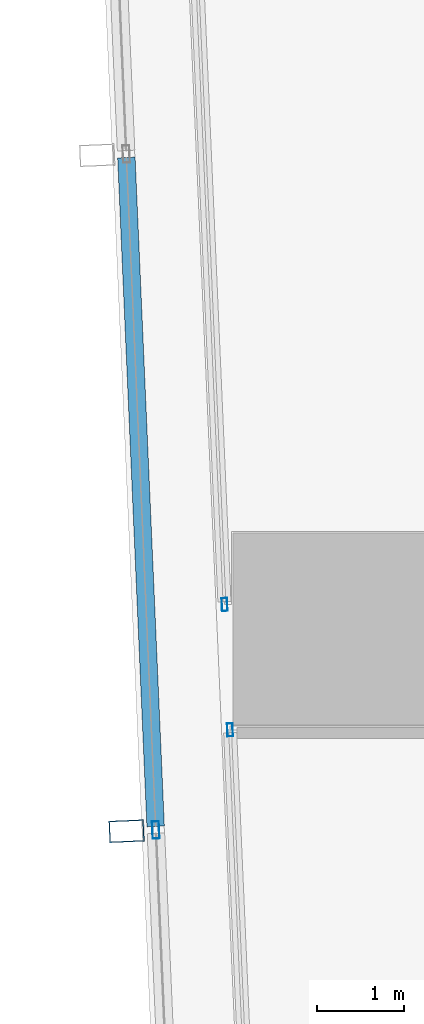
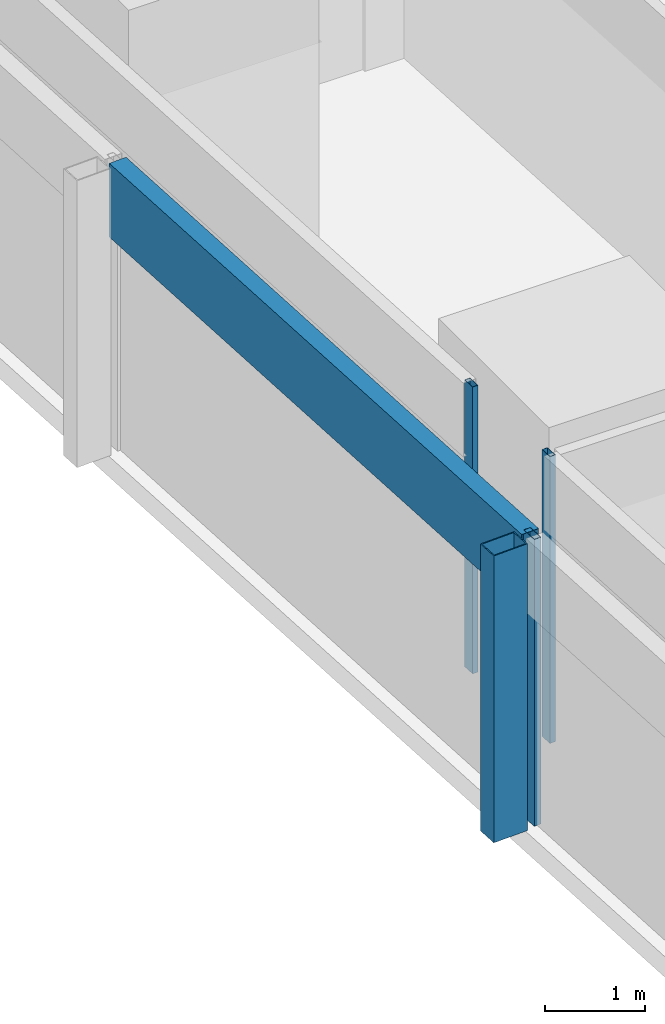
# One storey, part 4 of 44: 5 members, 3 elements without a shape of their own.
"""IFC4 building model written with IfcOpenShell, lengths in metres."""

import ifcopenshell
import ifcopenshell.guid

model = None  # the IFC model being written
_history = None  # IfcOwnerHistory: only IFC2X3 demands one
_inside = {}  # id of a spatial element -> (the spatial element, [elements in it])
_under = {}  # id of a project, library or spatial element -> (it, [spatial elements below it])
_declared = {}  # id of a project -> (the project, [libraries it declares])
_typed = {}  # id of a type object -> (the type object, [elements of that type])
_made_of = {}  # id of a material, layer set ... -> (it, [elements and type objects made of it])


def new_model(schema):
    """Start an empty IFC model of exactly this schema.

    Asked for "IFC4X3", IfcOpenShell would pick the latest addendum, in which some entities
    have other attributes; the version numbers below select the first issue.
    IFC2X3 requires an IfcOwnerHistory on every rooted entity: one is made here for all.
    """
    global model, _history
    if schema == "IFC4X3":
        model = ifcopenshell.file(schema_version=(4, 3, 0, 0))
    else:
        model = ifcopenshell.file(schema=schema)
    _inside.clear()
    _under.clear()
    _declared.clear()
    _typed.clear()
    _made_of.clear()
    _history = None
    if model.schema == "IFC2X3":
        org = make("IfcOrganization", Name="unknown")
        user = make(
            "IfcPersonAndOrganization",
            ThePerson=make("IfcPerson", FamilyName="unknown"),
            TheOrganization=org,
        )
        app = make(
            "IfcApplication",
            ApplicationDeveloper=org,
            Version="unknown",
            ApplicationFullName="unknown",
            ApplicationIdentifier="unknown",
        )
        _history = make(
            "IfcOwnerHistory",
            OwningUser=user,
            OwningApplication=app,
            ChangeAction="ADDED",
            CreationDate=0,
        )
    return model


def make(cls, **values):
    """One entity of the class cls with the attributes given. An attribute that is None is left unset."""
    return model.create_entity(
        cls, **{name: value for name, value in values.items() if value is not None}
    )


def rooted(cls, **values):
    """An entity with a GlobalId (a new one), such as an element, a storey or a relation."""
    return make(cls, GlobalId=ifcopenshell.guid.new(), OwnerHistory=_history, **values)


def si_unit(unit_type, name, prefix=None):
    """IfcSIUnit, for example si_unit("LENGTHUNIT", "METRE", prefix="MILLI")."""
    return make("IfcSIUnit", UnitType=unit_type, Prefix=prefix, Name=name)


def assignment(units):
    """IfcUnitAssignment: the units of a project."""
    return None if units is None else make("IfcUnitAssignment", Units=units)


def point(xyz):
    """IfcCartesianPoint."""
    return None if xyz is None else make("IfcCartesianPoint", Coordinates=xyz)


def direction(xyz):
    """IfcDirection."""
    return None if xyz is None else make("IfcDirection", DirectionRatios=xyz)


def frame(location, z_axis=None, x_axis=None):
    """IfcAxis2Placement3D, a coordinate frame: its origin and axes. An axis left out is left unset."""
    return make(
        "IfcAxis2Placement3D",
        Location=point(location),
        Axis=direction(z_axis),
        RefDirection=direction(x_axis),
    )


def frame_2d(location, x_axis=None):
    """IfcAxis2Placement2D, a coordinate frame in the plane: its origin and x axis."""
    return make(
        "IfcAxis2Placement2D", Location=point(location), RefDirection=direction(x_axis)
    )


def origin():
    """The frame at (0, 0, 0) with its axes left unset."""
    return frame((0.0, 0.0, 0.0))


def origin_2d():
    """The frame at (0, 0) in the plane with its x axis left unset."""
    return frame_2d((0.0, 0.0))


def place(relative_to, where):
    """IfcLocalPlacement: puts the frame where relative to a parent placement (None: the world)."""
    return make(
        "IfcLocalPlacement", PlacementRelTo=relative_to, RelativePlacement=where
    )


def context(
    kind, dimensions, precision=None, world=None, true_north=None, identifier=None
):
    """IfcGeometricRepresentationContext, for example the 3D "Model" context."""
    return make(
        "IfcGeometricRepresentationContext",
        ContextIdentifier=identifier,
        ContextType=kind,
        CoordinateSpaceDimension=dimensions,
        Precision=precision,
        WorldCoordinateSystem=world,
        TrueNorth=true_north,
    )


def subcontext(parent, identifier, kind, view, scale=None):
    """IfcGeometricRepresentationSubContext, for example "Body" below "Model"."""
    return make(
        "IfcGeometricRepresentationSubContext",
        ContextIdentifier=identifier,
        ContextType=kind,
        ParentContext=parent,
        TargetScale=scale,
        TargetView=view,
    )


def project(units=None, contexts=None):
    """IfcProject with its units and contexts."""
    return rooted(
        "IfcProject",
        Name="project",
        RepresentationContexts=contexts,
        UnitsInContext=assignment(units),
    )


def spatial(cls, under=None, at=None, **own):
    """A site, building, storey or space (cls), placed at a placement, below another one or the project."""
    s = rooted(cls, ObjectPlacement=at, **own)
    if under is not None:
        _under.setdefault(under.id(), (under, []))[1].append(s)
    return s


def profile(cls, at=None, kind="AREA", **sizes):
    """A parametric profile (cls). Its sizes go by their IFC names, for example OverallWidth=200.0."""
    return make(cls, ProfileType=kind, Position=at, **sizes)


def hollow_rectangle(**sizes):
    """IfcRectangleHollowProfileDef."""
    return profile("IfcRectangleHollowProfileDef", **sizes)


def extrude(swept, where, along, depth):
    """IfcExtrudedAreaSolid: the profile swept, set in the frame where, extruded along a direction by depth."""
    return make(
        "IfcExtrudedAreaSolid",
        SweptArea=swept,
        Position=where,
        ExtrudedDirection=direction(along),
        Depth=depth,
    )


def shape(context_of_items, identifier, shape_type, items):
    """IfcShapeRepresentation: the items that make up one representation, for example the "Body"."""
    return make(
        "IfcShapeRepresentation",
        ContextOfItems=context_of_items,
        RepresentationIdentifier=identifier,
        RepresentationType=shape_type,
        Items=items,
    )


def material(Name=None, Category=None):
    """IfcMaterial."""
    return make("IfcMaterial", Name=Name, Category=Category)


def material_profile(
    of_material, cross_section, Name=None, Category=None, Priority=None
):
    """IfcMaterialProfile: a cross section and its material."""
    return make(
        "IfcMaterialProfile",
        Name=Name,
        Material=of_material,
        Profile=cross_section,
        Priority=Priority,
        Category=Category,
    )


def profile_set(profiles, Name=None, composite=None):
    """IfcMaterialProfileSet."""
    return make(
        "IfcMaterialProfileSet",
        Name=Name,
        MaterialProfiles=profiles,
        CompositeProfile=composite,
    )


def made_of(thing, what):
    """Note that an element or type object is made of a material, layer set ...; save() writes the relation."""
    if what is not None:
        _made_of.setdefault(what.id(), (what, []))[1].append(thing)
    return thing


def type_object(cls, material=None, **own):
    """A type object (cls), such as IfcWallType, which elements share."""
    return made_of(rooted(cls, **own), material)


def element(
    cls,
    number,
    at=None,
    inside=None,
    cuts=None,
    type_object=None,
    material=None,
    context=None,
    identifier="Body",
    shape_type=None,
    held_by="IfcProductDefinitionShape",
    body=None,
    shapes=None,
    **own,
):
    """One element of the class cls, such as IfcWall. Its Tag is "e" and its number.

    at: its placement. inside: the storey or other place that contains it. cuts: it is an
    opening in that element (IfcRelVoidsElement). A single representation is given by context,
    identifier, shape_type and body (its items); several are given by shapes. held_by: the class
    of the entity that holds the representations. save() writes the other relations.
    """
    e = rooted(cls, Tag="e%d" % number, ObjectPlacement=at, **own)
    if body is not None:
        shapes = [shape(context, identifier, shape_type, body)]
    if shapes is not None:
        e.Representation = make(held_by, Representations=shapes)
    if inside is not None:
        _inside.setdefault(inside.id(), (inside, []))[1].append(e)
    if cuts is not None:
        rooted(
            "IfcRelVoidsElement", RelatingBuildingElement=cuts, RelatedOpeningElement=e
        )
    if type_object is not None:
        _typed.setdefault(type_object.id(), (type_object, []))[1].append(e)
    return made_of(e, material)


def aggregate(whole, parts):
    """IfcRelAggregates: a whole, such as a stair, and the parts it consists of."""
    return rooted("IfcRelAggregates", RelatingObject=whole, RelatedObjects=parts)


def save(model, path):
    """Write the relations noted so far, then the file.

    IfcRelAggregates (storeys below a building ...), IfcRelContainedInSpatialStructure (elements
    in a storey), IfcRelDefinesByType, IfcRelAssociatesMaterial and IfcRelDeclares: one each for
    every whole, place, type object, material and project.
    """
    for whole, parts in _under.values():
        aggregate(whole, parts)
    for where, things in _inside.values():
        rooted(
            "IfcRelContainedInSpatialStructure",
            RelatedElements=things,
            RelatingStructure=where,
        )
    for kind, things in _typed.values():
        rooted("IfcRelDefinesByType", RelatedObjects=things, RelatingType=kind)
    for what, things in _made_of.values():
        rooted("IfcRelAssociatesMaterial", RelatedObjects=things, RelatingMaterial=what)
    for by, libraries in _declared.values():
        rooted("IfcRelDeclares", RelatingContext=by, RelatedDefinitions=libraries)
    model.write(path)


model = new_model("IFC4")

# Units and contexts
model_context = context("Model", 3, precision=1e-05, world=origin(), true_north=direction((0.0, 1.0)))
body_context = subcontext(model_context, "Body", "Model", "MODEL_VIEW")
ifc_project = project(units=[si_unit("LENGTHUNIT", "METRE"), si_unit("AREAUNIT", "SQUARE_METRE"), si_unit("VOLUMEUNIT", "CUBIC_METRE"), si_unit("PLANEANGLEUNIT", "RADIAN"), si_unit("MASSUNIT", "GRAM", prefix="KILO")], contexts=[model_context])

# Site, building, storey
site_placement = place(None, origin())
site = spatial("IfcSite", under=ifc_project, at=site_placement, CompositionType="ELEMENT")
building_placement = place(site_placement, origin())
building = spatial("IfcBuilding", under=site, at=building_placement, Name="Rekha Terrace Tower", CompositionType="ELEMENT")
storey_placement = place(building_placement, frame((0.0, 0.0, 59.14990234375)))
storey = spatial("IfcBuildingStorey", under=building, at=storey_placement, Name="L14", CompositionType="ELEMENT", Elevation=59.14990234375)

# Curtain wall, member
ifc_material_1 = material(Name="Aluminium framing", Category="aluminium")
curtain_wall_type_1 = type_object("IfcCurtainWallType", Name="CW2 double skin outer glazing", PredefinedType="USERDEFINED", material=ifc_material_1)
curtain_wall_1_placement = place(storey_placement, origin())
curtain_wall_1 = element("IfcCurtainWall", 1, at=curtain_wall_1_placement, inside=storey, type_object=curtain_wall_type_1, Name="CW2 double skin outer glazing", ObjectType="DOUBLE SKIN OUTER GLAZING", PredefinedType="USERDEFINED")
ifc_material_2 = material(Name="Steel S355 with fluorocarbon finish", Category="steel")
ifc_material_profile_1 = material_profile(ifc_material_2, hollow_rectangle(XDim=0.25, YDim=0.39990234375, WallThickness=0.012451171875, at=origin_2d()), Name="RHS400x250x12.5")
ifc_profile_set_1 = profile_set([ifc_material_profile_1], Name="Steel S355 with fluorocarbon finish")
member_type_1 = type_object("IfcMemberType", Name="BL1 facade blade RHS 400 x 250", PredefinedType="USERDEFINED", material=ifc_profile_set_1)
member_1_placement = place(storey_placement, frame((6.080078125, 14.482421875, 0.0), z_axis=(0.0, 0.0, 1.0), x_axis=(0.04368215933, -0.999045478923, 0.0)))
member_1 = element("IfcMember", 2, at=member_1_placement, type_object=member_type_1, Name="Facade blade", ObjectType="FACADE BLADE", PredefinedType="USERDEFINED", context=body_context, shape_type="SweptSolid", body=[
    extrude(hollow_rectangle(XDim=0.25, YDim=0.39990234375, WallThickness=0.012451171875, at=origin_2d()), origin(), (0.0, 0.0, 1.0), 3.5),
])

curtain_wall_type_2 = type_object("IfcCurtainWallType", Name="CW1 double skin inner glazing", PredefinedType="USERDEFINED", material=ifc_material_1)
curtain_wall_2_placement = place(storey_placement, origin())
curtain_wall_2 = element("IfcCurtainWall", 3, at=curtain_wall_2_placement, inside=storey, type_object=curtain_wall_type_2, Name="CW1 double skin inner glazing", ObjectType="DOUBLE SKIN INNER GLAZING", PredefinedType="USERDEFINED")
ifc_material_3 = material(Name="Aluminium mullion section", Category="aluminium")
ifc_material_profile_2 = material_profile(ifc_material_3, hollow_rectangle(XDim=0.06494140625, YDim=0.14990234375, WallThickness=0.00390625, at=origin_2d()), Name="AL RHS 65x150")
ifc_profile_set_2 = profile_set([ifc_material_profile_2], Name="Aluminium mullion section")
member_type_2 = type_object("IfcMemberType", Name="CW1 mullion RHS 65 x 150", PredefinedType="MULLION", material=ifc_profile_set_2)
member_2_placement = place(storey_placement, frame((7.202880859375, 17.07958984375, 0.0), z_axis=(0.0, 0.0, 1.0), x_axis=(0.999045462133, 0.043682543337, 0.0)))
member_2 = element("IfcMember", 4, at=member_2_placement, type_object=member_type_2, Name="CW1 mullion 4", PredefinedType="MULLION", context=body_context, shape_type="SweptSolid", body=[
    extrude(hollow_rectangle(XDim=0.06494140625, YDim=0.14990234375, WallThickness=0.00390625, at=origin_2d()), origin(), (0.0, 0.0, 1.0), 3.5),
])
aggregate(curtain_wall_2, [member_2])

curtain_wall_3_placement = place(storey_placement, origin())
curtain_wall_3 = element("IfcCurtainWall", 5, at=curtain_wall_3_placement, inside=storey, type_object=curtain_wall_type_2, Name="CW1 double skin inner glazing", ObjectType="DOUBLE SKIN INNER GLAZING", PredefinedType="USERDEFINED")
member_3_placement = place(storey_placement, frame((7.265625, 15.643310546875, 0.0), z_axis=(0.0, 0.0, 1.0), x_axis=(0.999045462129, 0.043682543424, 0.0)))
member_3 = element("IfcMember", 6, at=member_3_placement, type_object=member_type_2, Name="CW1 mullion 1", PredefinedType="MULLION", context=body_context, shape_type="SweptSolid", body=[
    extrude(hollow_rectangle(XDim=0.06494140625, YDim=0.14990234375, WallThickness=0.00390625, at=origin_2d()), origin(), (0.0, 0.0, 1.0), 3.5),
])
aggregate(curtain_wall_3, [member_3])

# Member
ifc_material_profile_3 = material_profile(ifc_material_3, hollow_rectangle(XDim=0.080078125, YDim=0.199951171875, WallThickness=0.00390625, at=origin_2d()), Name="AL RHS 80x200")
ifc_profile_set_3 = profile_set([ifc_material_profile_3], Name="Aluminium mullion section")
member_type_3 = type_object("IfcMemberType", Name="CW2 mullion RHS 80 x 200", PredefinedType="MULLION", material=ifc_profile_set_3)
member_4_placement = place(storey_placement, frame((6.414794921875, 14.4970703125, 0.0), z_axis=(0.0, 0.0, 1.0), x_axis=(0.999045462131, 0.043682543372, 0.0)))
member_4 = element("IfcMember", 7, at=member_4_placement, type_object=member_type_3, Name="CW2 mullion 5", PredefinedType="MULLION", context=body_context, shape_type="SweptSolid", body=[
    extrude(hollow_rectangle(XDim=0.080078125, YDim=0.199951171875, WallThickness=0.00390625, at=origin_2d()), origin(), (0.0, 0.0, 1.0), 3.5),
])

ifc_material_4 = material(Name="Insulated aluminium spandrel box", Category="aluminium")
ifc_material_profile_4 = material_profile(ifc_material_4, hollow_rectangle(XDim=0.199951171875, YDim=0.89990234375, WallThickness=0.0029296875, at=origin_2d()), Name="AL SPANDREL BOX 200x900")
ifc_profile_set_4 = profile_set([ifc_material_profile_4], Name="Insulated aluminium spandrel box")
member_type_4 = type_object("IfcMemberType", Name="CW2 spandrel transom 200 x 900", PredefinedType="USERDEFINED", material=ifc_profile_set_4)
member_5_placement = place(storey_placement, frame((6.077880859375, 22.201416015625, 3.050048828125), z_axis=(0.043694095051, -0.999044956975, 0.0), x_axis=(0.999044956975, 0.043694095051, 0.0)))
member_5 = element("IfcMember", 8, at=member_5_placement, type_object=member_type_4, Name="CW2 spandrel transom 4", ObjectType="TRANSOM", PredefinedType="USERDEFINED", context=body_context, shape_type="SweptSolid", body=[
    extrude(hollow_rectangle(XDim=0.199951171875, YDim=0.89990234375, WallThickness=0.0029296875, at=origin_2d()), origin(), (0.0, 0.0, 1.0), 7.671630859375),
])

aggregate(curtain_wall_1, [member_4, member_5, member_1])

save(model, "model.ifc")
